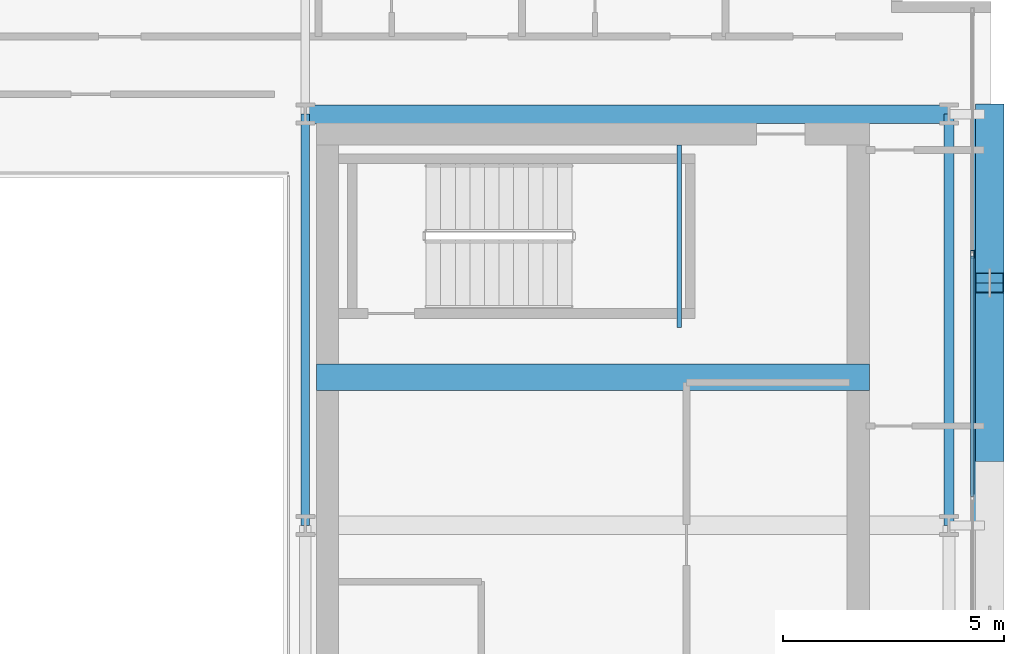
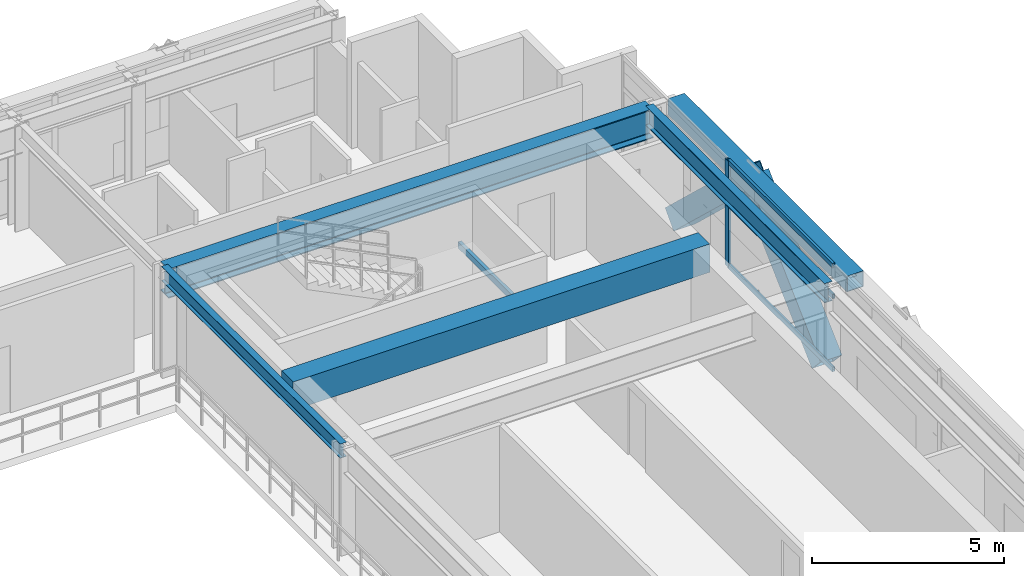
# One storey, part 14 of 31: 6 beams, 6 members, 1 element without a shape of its own.
"""IFC4 building model written with IfcOpenShell, lengths in metres."""

from ifc_helpers import new_model, si_unit, direction, frame, origin, origin_2d, place, context, subcontext, project, spatial, rectangle, hollow_rectangle, i_section, extrude, source, transform, mapped, material, layer, layer_set, material_profile, profile_set, type_object, element, aggregate, save


model = new_model("IFC4")

# Units and contexts
model_context = context("Model", 3, precision=1e-05, world=origin(), true_north=direction((0.0, 1.0)))
body_context = subcontext(model_context, "Body", "Model", "MODEL_VIEW")
ifc_project = project(units=[si_unit("LENGTHUNIT", "METRE"), si_unit("AREAUNIT", "SQUARE_METRE"), si_unit("VOLUMEUNIT", "CUBIC_METRE"), si_unit("PLANEANGLEUNIT", "RADIAN"), si_unit("MASSUNIT", "GRAM", prefix="KILO")], contexts=[model_context])

# Site, building, storey
site_placement = place(None, origin())
site = spatial("IfcSite", under=ifc_project, at=site_placement, CompositionType="ELEMENT")
building_placement = place(site_placement, origin())
building = spatial("IfcBuilding", under=site, at=building_placement, Name="Ocotamira Hotel", CompositionType="ELEMENT")
storey_placement = place(building_placement, frame((0.0, 0.0, 181.199951171875)))
storey = spatial("IfcBuildingStorey", under=building, at=storey_placement, Name="L45", CompositionType="ELEMENT", Elevation=181.199951171875)

# Beams
ifc_material_1 = material(Name="Concrete C50/60", Category="concrete")
ifc_material_profile_1 = material_profile(ifc_material_1, rectangle(XDim=0.60009765625, YDim=0.89990234375, at=origin_2d()), Name="RC600X900")
ifc_profile_set_1 = profile_set([ifc_material_profile_1], Name="Concrete C50/60")
beam_type_1 = type_object("IfcBeamType", Name="BM-LINK-RC600", PredefinedType="LINTEL", material=ifc_profile_set_1)
shared_shape_1 = source(origin(), body_context, "Body", "SweptSolid", [
    extrude(rectangle(XDim=0.60009765625, YDim=0.89990234375, at=origin_2d()), origin(), (0.0, 0.0, 1.0), 12.5),
])
beam_1_placement = place(storey_placement, frame((40.75, 31.5, 2.920166015625), z_axis=(1.0, 0.0, 0.0), x_axis=(0.0, 1.0, 0.0)))
element("IfcBeam", 1, at=beam_1_placement, inside=storey, type_object=beam_type_1, Name="L45 East Core Coupling Beam", PredefinedType="LINTEL", context=body_context, shape_type="MappedRepresentation", body=[
    mapped(shared_shape_1, transform((0.0, 0.0, 0.0), scale=1.0)),
])
ifc_material_2 = material(Name="Steel ASTM A500 Grade C", Category="steel")
ifc_material_profile_2 = material_profile(ifc_material_2, hollow_rectangle(XDim=0.10009765625, YDim=0.199951171875, WallThickness=0.008056640625, at=origin_2d()), Name="HSS200X100X8")
ifc_profile_set_2 = profile_set([ifc_material_profile_2], Name="Steel ASTM A500 Grade C")
beam_type_2 = type_object("IfcBeamType", Name="BM-STLDG-HSS200", PredefinedType="BEAM", material=ifc_profile_set_2)
shared_shape_2 = source(origin(), body_context, "Body", "SweptSolid", [
    extrude(hollow_rectangle(XDim=0.10009765625, YDim=0.199951171875, WallThickness=0.008056640625, at=origin_2d()), origin(), (0.0, 0.0, 1.0), 4.1201171875),
])
beam_2_placement = place(storey_placement, frame((48.949951171875, 32.6298828125, 1.5), z_axis=(0.0, 1.0, 0.0), x_axis=(-1.0, 0.0, 0.0)))
element("IfcBeam", 2, at=beam_2_placement, inside=storey, type_object=beam_type_2, Name="L45 Stair ST-4 Landing Bearer 1", PredefinedType="BEAM", context=body_context, shape_type="MappedRepresentation", body=[
    mapped(shared_shape_2, transform((0.0, 0.0, 0.0), scale=1.0)),
])
ifc_material_3 = material(Name="Steel ASTM A992 Grade 50", Category="steel")
ifc_material_profile_3 = material_profile(ifc_material_3, i_section(OverallWidth=0.41796875, OverallDepth=0.927001953125, WebThickness=0.019287109375, FlangeThickness=0.031982421875, FilletRadius=0.02392578125, at=origin_2d()), Name="W36X231")
ifc_profile_set_3 = profile_set([ifc_material_profile_3], Name="Steel ASTM A992 Grade 50")
beam_type_3 = type_object("IfcBeamType", Name="BM-GIRD-W36X231", PredefinedType="BEAM", material=ifc_profile_set_3)
shared_shape_3 = source(origin(), body_context, "Body", "SweptSolid", [
    extrude(i_section(OverallWidth=0.41796875, OverallDepth=0.927001953125, WebThickness=0.019287109375, FlangeThickness=0.031982421875, FilletRadius=0.02392578125, at=origin_2d()), origin(), (0.0, 0.0, 1.0), 14.550048828125),
])
beam_3_placement = place(storey_placement, frame((40.5, 37.449951171875, 2.906494140625), z_axis=(1.0, 0.0, 0.0), x_axis=(0.0, 1.0, 0.0)))
element("IfcBeam", 3, at=beam_3_placement, inside=storey, type_object=beam_type_3, Name="L45 Girder Y37.45 X40.5-55.05", PredefinedType="BEAM", context=body_context, shape_type="MappedRepresentation", body=[
    mapped(shared_shape_3, transform((0.0, 0.0, 0.0), scale=1.0)),
])
ifc_material_profile_4 = material_profile(ifc_material_3, i_section(OverallWidth=0.22998046875, OverallDepth=0.616943359375, WebThickness=0.01318359375, FlangeThickness=0.022216796875, FilletRadius=0.012939453125, at=origin_2d()), Name="W24X94")
ifc_profile_set_4 = profile_set([ifc_material_profile_4], Name="Steel ASTM A992 Grade 50")
beam_type_4 = type_object("IfcBeamType", Name="BM-PRIM-W24X94", PredefinedType="BEAM", material=ifc_profile_set_4)
shared_shape_4 = source(origin(), body_context, "Body", "SweptSolid", [
    extrude(i_section(OverallWidth=0.22998046875, OverallDepth=0.616943359375, WebThickness=0.01318359375, FlangeThickness=0.022216796875, FilletRadius=0.012939453125, at=origin_2d()), origin(), (0.0, 0.0, 1.0), 9.300048828125),
])
beam_4_placement = place(storey_placement, frame((55.050048828125, 28.14990234375, 3.0615234375), z_axis=(0.0, 1.0, 0.0), x_axis=(-1.0, 0.0, 0.0)))
element("IfcBeam", 4, at=beam_4_placement, inside=storey, type_object=beam_type_4, Name="L45 Beam X55.05 Y28.15-37.45", PredefinedType="BEAM", context=body_context, shape_type="MappedRepresentation", body=[
    mapped(shared_shape_4, transform((0.0, 0.0, 0.0), scale=1.0)),
])
ifc_material_profile_5 = material_profile(ifc_material_3, i_section(OverallWidth=0.18994140625, OverallDepth=0.45703125, WebThickness=0.009033203125, FlangeThickness=0.014404296875, FilletRadius=0.010009765625, at=origin_2d()), Name="W18X50")
ifc_profile_set_5 = profile_set([ifc_material_profile_5], Name="Steel ASTM A992 Grade 50")
beam_type_5 = type_object("IfcBeamType", Name="BM-SEC-W18X50", PredefinedType="JOIST", material=ifc_profile_set_5)
shared_shape_5 = source(origin(), body_context, "Body", "SweptSolid", [
    extrude(i_section(OverallWidth=0.18994140625, OverallDepth=0.45703125, WebThickness=0.009033203125, FlangeThickness=0.014404296875, FilletRadius=0.010009765625, at=origin_2d()), origin(), (0.0, 0.0, 1.0), 9.300048828125),
])
beam_5_placement = place(storey_placement, frame((40.5, 28.14990234375, 3.1416015625), z_axis=(0.0, 1.0, 0.0), x_axis=(-1.0, 0.0, 0.0)))
element("IfcBeam", 5, at=beam_5_placement, inside=storey, type_object=beam_type_5, Name="L45 Beam X40.5 Y28.15-37.45", PredefinedType="JOIST", context=body_context, shape_type="MappedRepresentation", body=[
    mapped(shared_shape_5, transform((0.0, 0.0, 0.0), scale=1.0)),
])
ifc_material_profile_6 = material_profile(ifc_material_2, hollow_rectangle(XDim=0.5, YDim=0.5, WallThickness=0.02001953125, at=origin_2d()), Name="HSS500X500X20")
ifc_profile_set_6 = profile_set([ifc_material_profile_6], Name="Steel ASTM A500 Grade C")
beam_type_6 = type_object("IfcBeamType", Name="BM-SPAN-HSS500", PredefinedType="USERDEFINED", material=ifc_profile_set_6)
shared_shape_6 = source(origin(), body_context, "Body", "SweptSolid", [
    extrude(hollow_rectangle(XDim=0.5, YDim=0.5, WallThickness=0.02001953125, at=origin_2d()), origin(), (0.0, 0.0, 1.0), 9.300048828125),
])
beam_6_placement = place(storey_placement, frame((55.85009765625, 28.14990234375, 3.1201171875), z_axis=(0.0, 1.0, 0.0), x_axis=(-1.0, 0.0, 0.0)))
element("IfcBeam", 6, at=beam_6_placement, inside=storey, type_object=beam_type_6, Name="L45 Edge Spandrel E Y28.15-37.45", ObjectType="SPANDREL", PredefinedType="USERDEFINED", context=body_context, shape_type="MappedRepresentation", body=[
    mapped(shared_shape_6, transform((0.0, 0.0, 0.0), scale=1.0)),
])

# Members
ifc_material_4 = material(Name="Pale-metal coated steel ASTM A913 Grade 65", Category="steel")
ifc_material_profile_7 = material_profile(ifc_material_4, hollow_rectangle(XDim=0.64990234375, YDim=0.64990234375, WallThickness=0.02197265625, at=origin_2d()), Name="BOX650X650X22")
ifc_profile_set_7 = profile_set([ifc_material_profile_7], Name="Pale-metal coated steel ASTM A913 Grade 65")
member_type_1 = type_object("IfcMemberType", Name="MEM-EXO-BOX650", PredefinedType="BRACE", material=ifc_profile_set_7)
shared_shape_7 = source(origin(), body_context, "Body", "SweptSolid", [
    extrude(hollow_rectangle(XDim=0.64990234375, YDim=0.64990234375, WallThickness=0.02197265625, at=origin_2d()), origin(), (0.0, 0.0, 1.0), 5.24658203125),
])
for number, where, z_axis, x_axis, name in (
    (7, (55.969970703125, 29.816650390625, -0.47998046875), (0.0, 0.727442733726, 0.686168397078), (-1.0, 0.0, 0.0), "L45 Exoskeleton Diagrid E2.1"),
    (8, (55.969970703125, 37.449951171875, -0.47998046875), (0.0, -0.727442733726, 0.686168397078), (1.0, 0.0, 0.0), "L45 Exoskeleton Diagrid E2.2"),
):
    element("IfcMember", number, at=place(storey_placement, frame(where, z_axis=z_axis, x_axis=x_axis)), inside=storey, type_object=member_type_1, Name=name, PredefinedType="BRACE", context=body_context, shape_type="MappedRepresentation", body=[
        mapped(shared_shape_7, transform((0.0, 0.0, 0.0), scale=1.0)),
    ])

# Curtain wall, members
ifc_material_5 = material(Name="Anodised pale-metal aluminium and solar glass", Category="aluminium")
ifc_layer = layer(ifc_material_5, 0.199951171875)
ifc_layer_set = layer_set([ifc_layer], Name="Anodised pale-metal aluminium and solar glass")
curtain_wall_type = type_object("IfcCurtainWallType", Name="CW-SYS4-Z3", PredefinedType="NOTDEFINED", material=ifc_layer_set)
curtain_wall_placement = place(storey_placement, origin())
curtain_wall = element("IfcCurtainWall", 9, at=curtain_wall_placement, inside=storey, type_object=curtain_wall_type, Name="L45 Curtain Wall CW-4 CW-L45-E", PredefinedType="NOTDEFINED")
ifc_material_6 = material(Name="Anodised pale-metal aluminium 6063-T6", Category="aluminium")
ifc_material_profile_8 = material_profile(ifc_material_6, hollow_rectangle(XDim=0.080078125, YDim=0.179931640625, WallThickness=0.006103515625, at=origin_2d()), Name="HSS180X80X6")
ifc_profile_set_8 = profile_set([ifc_material_profile_8], Name="Anodised pale-metal aluminium 6063-T6")
member_type_2 = type_object("IfcMemberType", Name="CWM-180X75", PredefinedType="MULLION", material=ifc_profile_set_8)
shared_shape_8 = source(origin(), body_context, "Body", "SweptSolid", [
    extrude(hollow_rectangle(XDim=0.080078125, YDim=0.179931640625, WallThickness=0.006103515625, at=origin_2d()), origin(), (0.0, 0.0, 1.0), 3.3701171875),
])
member_1_placement = place(storey_placement, frame((55.580078125, 34.280029296875, 0.0), z_axis=(0.0, 0.0, 1.0), x_axis=(-1.0, 0.0, 0.0)))
member_1 = element("IfcMember", 10, at=member_1_placement, type_object=member_type_2, Name="CW-4 mullion 5", PredefinedType="MULLION", context=body_context, shape_type="MappedRepresentation", body=[
    mapped(shared_shape_8, transform((0.0, 0.0, 0.0), scale=1.0)),
])
ifc_material_profile_9 = material_profile(ifc_material_6, hollow_rectangle(XDim=0.074951171875, YDim=0.14990234375, WallThickness=0.006103515625, at=origin_2d()), Name="HSS150X75X6")
ifc_profile_set_9 = profile_set([ifc_material_profile_9], Name="Anodised pale-metal aluminium 6063-T6")
member_type_3 = type_object("IfcMemberType", Name="CWT-150X75", PredefinedType="USERDEFINED", material=ifc_profile_set_9)
shared_shape_9 = source(origin(), body_context, "Body", "SweptSolid", [
    extrude(hollow_rectangle(XDim=0.074951171875, YDim=0.14990234375, WallThickness=0.006103515625, at=origin_2d()), origin(), (0.0, 0.0, 1.0), 5.43994140625),
])
member_2_placement = place(storey_placement, frame((55.580078125, 28.800048828125, 0.03759765625), z_axis=(0.0, 1.0, 0.0), x_axis=(-1.0, 0.0, 0.0)))
member_2 = element("IfcMember", 11, at=member_2_placement, type_object=member_type_3, Name="CW-4 transom 4.1", ObjectType="TRANSOM", PredefinedType="USERDEFINED", context=body_context, shape_type="MappedRepresentation", body=[
    mapped(shared_shape_9, transform((0.0, 0.0, 0.0), scale=1.0)),
])
member_3_placement = place(storey_placement, frame((55.580078125, 28.800048828125, 2.35009765625), z_axis=(0.0, 1.0, 0.0), x_axis=(-1.0, 0.0, 0.0)))
member_3 = element("IfcMember", 12, at=member_3_placement, type_object=member_type_3, Name="CW-4 transom 4.2", ObjectType="TRANSOM", PredefinedType="USERDEFINED", context=body_context, shape_type="MappedRepresentation", body=[
    mapped(shared_shape_9, transform((0.0, 0.0, 0.0), scale=1.0)),
])
member_4_placement = place(storey_placement, frame((55.580078125, 28.800048828125, 3.33251953125), z_axis=(0.0, 1.0, 0.0), x_axis=(-1.0, 0.0, 0.0)))
member_4 = element("IfcMember", 13, at=member_4_placement, type_object=member_type_3, Name="CW-4 transom 4.3", ObjectType="TRANSOM", PredefinedType="USERDEFINED", context=body_context, shape_type="MappedRepresentation", body=[
    mapped(shared_shape_9, transform((0.0, 0.0, 0.0), scale=1.0)),
])
aggregate(curtain_wall, [member_1, member_2, member_3, member_4])

save(model, "model.ifc")
